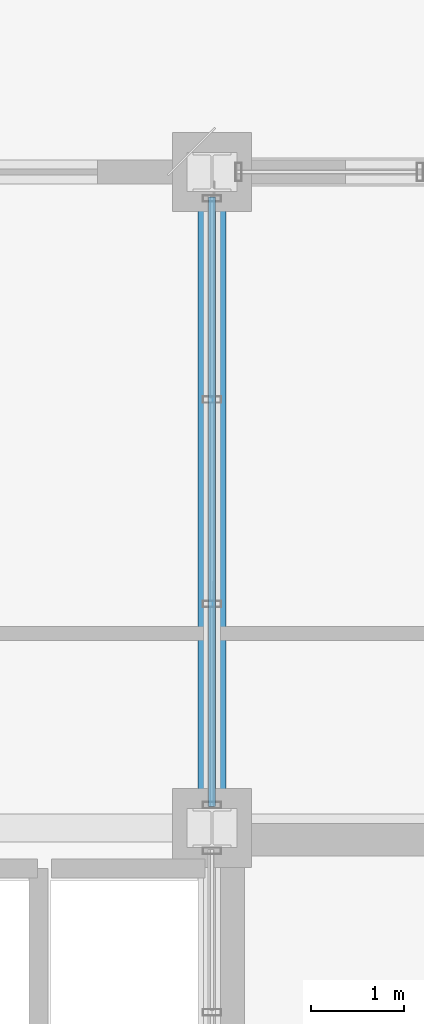
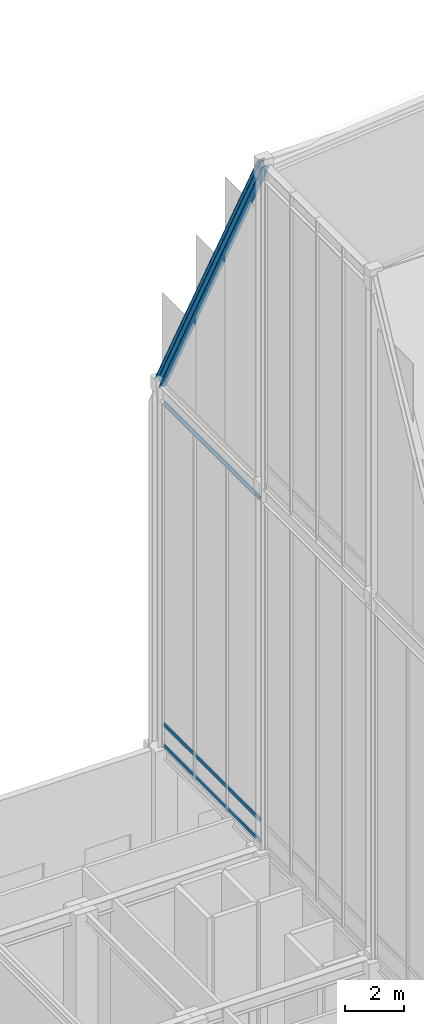
# One storey, part 22 of 49: 4 members, 1 element without a shape of its own.
"""IFC4 building model written with IfcOpenShell, lengths in metres."""

from ifc_helpers import new_model, si_unit, direction, frame, origin, origin_2d, place, context, subcontext, project, spatial, hollow_rectangle, i_section, extrude, source, transform, mapped, material, layer, layer_set, material_profile, profile_set, type_object, element, aggregate, save


model = new_model("IFC4")

# Units and contexts
model_context = context("Model", 3, precision=1e-05, world=origin(), true_north=direction((0.0, 1.0)))
body_context = subcontext(model_context, "Body", "Model", "MODEL_VIEW")
ifc_project = project(units=[si_unit("LENGTHUNIT", "METRE"), si_unit("AREAUNIT", "SQUARE_METRE"), si_unit("VOLUMEUNIT", "CUBIC_METRE"), si_unit("PLANEANGLEUNIT", "RADIAN"), si_unit("MASSUNIT", "GRAM", prefix="KILO")], contexts=[model_context])

# Site, building, storey
site_placement = place(None, origin())
site = spatial("IfcSite", under=ifc_project, at=site_placement, CompositionType="ELEMENT")
building_placement = place(site_placement, origin())
building = spatial("IfcBuilding", under=site, at=building_placement, Name="Kaliganga Portal Commons", CompositionType="ELEMENT")
storey_placement = place(building_placement, frame((0.0, 0.0, 298.0)))
storey = spatial("IfcBuildingStorey", under=building, at=storey_placement, Name="L77", CompositionType="ELEMENT", Elevation=298.0)

# Member
ifc_material_1 = material(Name="Structural steel S460M", Category="steel")
ifc_material_profile_1 = material_profile(ifc_material_1, i_section(OverallWidth=0.300048828125, OverallDepth=0.360107421875, WebThickness=0.012451171875, FlangeThickness=0.0224609375, FilletRadius=0.027099609375, at=origin_2d()), Name="HE 360 B")
ifc_profile_set_1 = profile_set([ifc_material_profile_1], Name="Structural steel S460M wide-flange")
member_type_1 = type_object("IfcMemberType", Name="MBR-CROWN-DIAG", PredefinedType="BRACE", material=ifc_profile_set_1)
shared_shape_1 = source(origin(), body_context, "Body", "SweptSolid", [
    extrude(i_section(OverallWidth=0.300048828125, OverallDepth=0.360107421875, WebThickness=0.012451171875, FlangeThickness=0.0224609375, FilletRadius=0.027099609375, at=origin_2d()), origin(), (0.0, 0.0, 1.0), 15.150146484375),
])
member_1_placement = place(storey_placement, frame((14.39990234375, 43.199951171875, 21.0), z_axis=(0.0, -0.465343238179, 0.885130312825), x_axis=(1.0, 0.0, 0.0)))
element("IfcMember", 1, at=member_1_placement, inside=storey, type_object=member_type_1, Name="Crown Frame Diagrid Brace CRD-04", PredefinedType="BRACE", context=body_context, shape_type="MappedRepresentation", body=[
    mapped(shared_shape_1, transform((0.0, 0.0, 0.0), x_axis=(1.0, 0.0, 0.0), y_axis=(0.0, 1.0, 0.0), z_axis=(0.0, 0.0, 1.0), scale=1.0)),
])

# Curtain wall, members
ifc_material_2 = material(Name="Anodized Aluminium and Laminated Low-E Glass", Category="aluminium")
ifc_layer = layer(ifc_material_2, 0.25)
ifc_layer_set = layer_set([ifc_layer], Name="Anodized Aluminium and Laminated Low-E Glass")
curtain_wall_type = type_object("IfcCurtainWallType", Name="CW-SYS-06", PredefinedType="NOTDEFINED", material=ifc_layer_set)
curtain_wall_placement = place(storey_placement, origin())
curtain_wall = element("IfcCurtainWall", 2, at=curtain_wall_placement, inside=storey, type_object=curtain_wall_type, Name="CW 06 L77 WN", PredefinedType="NOTDEFINED")
ifc_material_3 = material(Name="Dark Bronze Anodized Aluminium", Category="aluminium")
ifc_material_profile_2 = material_profile(ifc_material_3, hollow_rectangle(XDim=0.070068359375, YDim=0.14990234375, WallThickness=0.00341796875, at=origin_2d()), Name="ALU TRAN 70x150x3.5")
ifc_profile_set_2 = profile_set([ifc_material_profile_2], Name="Dark Bronze Anodized Aluminium")
member_type_2 = type_object("IfcMemberType", Name="CW-TRN-150", PredefinedType="USERDEFINED", material=ifc_profile_set_2)
shared_shape_2 = source(origin(), body_context, "Body", "SweptSolid", [
    extrude(hollow_rectangle(XDim=0.070068359375, YDim=0.14990234375, WallThickness=0.00341796875, at=origin_2d()), origin(), (0.0, 0.0, 1.0), 6.550048828125),
])
member_2_placement = place(storey_placement, frame((14.39990234375, 36.3798828125, 6.06005859375), z_axis=(0.0, 1.0, 0.0), x_axis=(-1.0, 0.0, 0.0)))
member_2 = element("IfcMember", 3, at=member_2_placement, type_object=member_type_2, Name="CW:06:L77:WN Transom 1", ObjectType="TRANSOM", PredefinedType="USERDEFINED", context=body_context, shape_type="MappedRepresentation", body=[
    mapped(shared_shape_2, transform((0.0, 0.0, 0.0), x_axis=(1.0, 0.0, 0.0), y_axis=(0.0, 1.0, 0.0), z_axis=(0.0, 0.0, 1.0), scale=1.0)),
])
member_3_placement = place(storey_placement, frame((14.39990234375, 36.3798828125, 6.949951171875), z_axis=(0.0, 1.0, 0.0), x_axis=(-1.0, 0.0, 0.0)))
member_3 = element("IfcMember", 4, at=member_3_placement, type_object=member_type_2, Name="CW:06:L77:WN Transom 2", ObjectType="TRANSOM", PredefinedType="USERDEFINED", context=body_context, shape_type="MappedRepresentation", body=[
    mapped(shared_shape_2, transform((0.0, 0.0, 0.0), x_axis=(1.0, 0.0, 0.0), y_axis=(0.0, 1.0, 0.0), z_axis=(0.0, 0.0, 1.0), scale=1.0)),
])
member_4_placement = place(storey_placement, frame((14.39990234375, 36.3798828125, 20.320068359375), z_axis=(0.0, 1.0, 0.0), x_axis=(-1.0, 0.0, 0.0)))
member_4 = element("IfcMember", 5, at=member_4_placement, type_object=member_type_2, Name="CW:06:L77:WN Transom 3", ObjectType="TRANSOM", PredefinedType="USERDEFINED", context=body_context, shape_type="MappedRepresentation", body=[
    mapped(shared_shape_2, transform((0.0, 0.0, 0.0), x_axis=(1.0, 0.0, 0.0), y_axis=(0.0, 1.0, 0.0), z_axis=(0.0, 0.0, 1.0), scale=1.0)),
])
aggregate(curtain_wall, [member_2, member_3, member_4])

save(model, "model.ifc")
